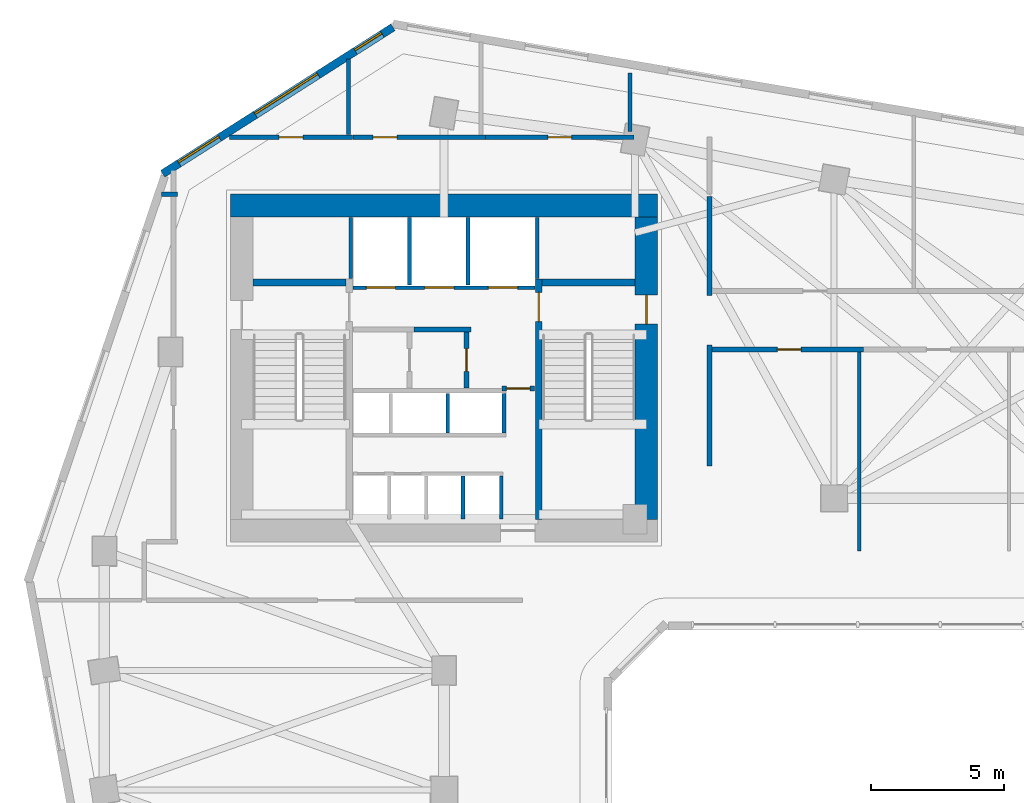
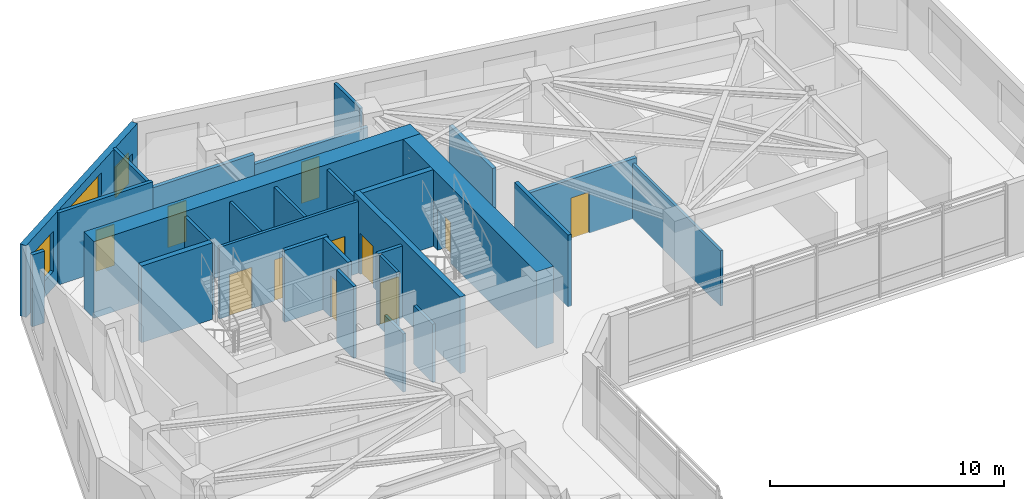
# One storey, part 6 of 9: 28 walls, 11 doors, 3 windows, 14 openings.
"""IFC4 building model written with IfcOpenShell, lengths in metres."""

from ifc_helpers import new_model, si_unit, direction, frame, frame_2d, origin, place, context, subcontext, project, spatial, rectangle, extrude, source, transform, mapped, material, layer, layer_set, type_object, element, fill, save


model = new_model("IFC4")

# Units and contexts
model_context = context("Model", 3, precision=1e-05, world=origin(), true_north=direction((0.0, 1.0)))
body_context = subcontext(model_context, "Body", "Model", "MODEL_VIEW")
ifc_project = project(units=[si_unit("LENGTHUNIT", "METRE"), si_unit("AREAUNIT", "SQUARE_METRE"), si_unit("VOLUMEUNIT", "CUBIC_METRE"), si_unit("PLANEANGLEUNIT", "RADIAN"), si_unit("MASSUNIT", "GRAM", prefix="KILO")], contexts=[model_context])

# Site, building, storey
site_placement = place(None, origin())
site = spatial("IfcSite", under=ifc_project, at=site_placement, CompositionType="ELEMENT")
building_placement = place(site_placement, origin())
building = spatial("IfcBuilding", under=site, at=building_placement, Name="Calvemar Wedge Station Tower", CompositionType="ELEMENT")
storey_placement = place(building_placement, frame((0.0, 0.0, 71.0)))
storey = spatial("IfcBuildingStorey", under=building, at=storey_placement, Name="L17", CompositionType="ELEMENT", Elevation=71.0)

# Wall, opening, door
ifc_material_1 = material(Name="Concrete C50", Category="concrete")
ifc_layer_1 = layer(ifc_material_1, 0.260009765625)
ifc_layer_set_1 = layer_set([ifc_layer_1], Name="Concrete C50")
wall_type_1 = type_object("IfcWallType", Name="SW-CORE-260", PredefinedType="SHEAR", material=ifc_layer_set_1)
wall_1_placement = place(storey_placement, frame((27.3701171875, 34.199951171875, 0.0), z_axis=(0.0, 0.0, 1.0), x_axis=(0.0, 1.0, 0.0)))
wall_1 = element("IfcWall", 1, at=wall_1_placement, inside=storey, type_object=wall_type_1, Name="Storey L17 Core Shear Wall SPINE-E", PredefinedType="SHEAR", context=body_context, shape_type="SweptSolid", body=[
    extrude(rectangle(XDim=9.06005859375, YDim=0.260009765625, at=frame_2d((4.530029296875, 0.0))), origin(), (0.0, 0.0, 1.0), 4.0),
])
shared_shape_1 = source(origin(), body_context, "Body", "SweptSolid", [
    extrude(rectangle(XDim=1.10009765625, YDim=2.14990234375, at=frame_2d((0.550048828125, 1.074951171875))), frame((0.0, 0.14013671875, 0.0), z_axis=(0.0, -1.0, 0.0), x_axis=(1.0, 0.0, 0.0)), (0.0, 0.0, 1.0), 0.280029296875),
])
opening_1_placement = place(wall_1_placement, frame((7.449951171875, 0.0, 0.0)))
opening_1 = element("IfcOpeningElement", 2, at=opening_1_placement, cuts=wall_1, Name="Opening FD-90", PredefinedType="OPENING", context=body_context, shape_type="MappedRepresentation", body=[
    mapped(shared_shape_1, transform((0.0, 0.0, 0.0), scale=1.0)),
])
ifc_material_2 = material(Name="Galvanized fire-rated steel door leaf P-90", Category="steel")
door_type_1 = type_object("IfcDoorType", Name="DR-FD90-1100", OperationType="NOTDEFINED", PredefinedType="DOOR", material=ifc_material_2)
shared_shape_2 = source(origin(), body_context, "Body", "SweptSolid", [
    extrude(rectangle(XDim=1.10009765625, YDim=2.14990234375, at=frame_2d((0.550048828125, 1.074951171875))), frame((0.0, 0.02490234375, 0.0), z_axis=(0.0, -1.0, 0.0), x_axis=(1.0, 0.0, 0.0)), (0.0, 0.0, 1.0), 0.050048828125),
])
door_1_placement = place(opening_1_placement, origin())
door_1 = element("IfcDoor", 3, at=door_1_placement, inside=storey, type_object=door_type_1, Name="L17 FF Lobby to Stair ST-C2 Door", OperationType="SINGLE_SWING_LEFT", OverallHeight=2.14990234375, OverallWidth=1.10009765625, PredefinedType="DOOR", context=body_context, shape_type="MappedRepresentation", body=[
    mapped(shared_shape_2, transform((0.0, 0.0, 0.0), scale=1.0)),
])
fill(opening_1, door_1)

# Walls
for number, where, z_axis, x_axis, name in (
    (4, (16.60009765625, 43.1298828125, 0.0), (0.0, 0.0, 1.0), (1.0, 0.0, 0.0), "Storey L17 Core Shear Wall STC1-N"),
    (5, (27.5, 43.1298828125, 0.0), (0.0, 0.0, 1.0), (1.0, 0.0, 0.0), "Storey L17 Core Shear Wall STC2-N"),
):
    element("IfcWall", number, at=place(storey_placement, frame(where, z_axis=z_axis, x_axis=x_axis)), inside=storey, type_object=wall_type_1, Name=name, PredefinedType="SHEAR", context=body_context, shape_type="SweptSolid", body=[
        extrude(rectangle(XDim=3.5, YDim=0.260009765625, at=frame_2d((1.75, 0.0))), origin(), (0.0, 0.0, 1.0), 4.0),
    ])
ifc_material_3 = material(Name="Concrete C80", Category="concrete")
ifc_layer_2 = layer(ifc_material_3, 0.85009765625)
ifc_layer_set_2 = layer_set([ifc_layer_2], Name="Concrete C80")
wall_type_2 = type_object("IfcWallType", Name="SW-CORE-850", PredefinedType="SHEAR", material=ifc_layer_set_2)
wall_2_placement = place(storey_placement, frame((15.75, 46.02490234375, 0.0), z_axis=(0.0, 0.0, 1.0), x_axis=(1.0, 0.0, 0.0)))
element("IfcWall", 6, at=wall_2_placement, inside=storey, type_object=wall_type_2, Name="Storey L17 Core Shear Wall N", PredefinedType="SHEAR", context=body_context, shape_type="SweptSolid", body=[
    extrude(rectangle(XDim=16.10009765625, YDim=0.85009765625, at=frame_2d((8.050048828125, 0.0))), origin(), (0.0, 0.0, 1.0), 4.0),
])

# Wall, opening, door
wall_3_placement = place(storey_placement, frame((31.425048828125, 34.199951171875, 0.0), z_axis=(0.0, 0.0, 1.0), x_axis=(0.0, 1.0, 0.0)))
wall_3 = element("IfcWall", 7, at=wall_3_placement, inside=storey, type_object=wall_type_2, Name="Storey L17 Core Shear Wall E", PredefinedType="SHEAR", context=body_context, shape_type="SweptSolid", body=[
    extrude(rectangle(XDim=11.400146484375, YDim=0.85009765625, at=frame_2d((5.7001953125, 0.0))), origin(), (0.0, 0.0, 1.0), 4.0),
])
shared_shape_3 = source(origin(), body_context, "Body", "SweptSolid", [
    extrude(rectangle(XDim=1.10009765625, YDim=2.14990234375, at=frame_2d((0.550048828125, 1.074951171875))), frame((0.0, 0.43505859375, 0.0), z_axis=(0.0, -1.0, 0.0), x_axis=(1.0, 0.0, 0.0)), (0.0, 0.0, 1.0), 0.8701171875),
])
opening_2_placement = place(wall_3_placement, frame((7.35009765625, 0.0, 0.0)))
opening_2 = element("IfcOpeningElement", 8, at=opening_2_placement, cuts=wall_3, Name="Opening FD-90", PredefinedType="OPENING", context=body_context, shape_type="MappedRepresentation", body=[
    mapped(shared_shape_3, transform((0.0, 0.0, 0.0), scale=1.0)),
])
door_2_placement = place(opening_2_placement, origin())
door_2 = element("IfcDoor", 9, at=door_2_placement, inside=storey, type_object=door_type_1, Name="L17 East Corridor to Exit Stair ST-C2 Door", OperationType="SINGLE_SWING_LEFT", OverallHeight=2.14990234375, OverallWidth=1.10009765625, PredefinedType="DOOR", context=body_context, shape_type="MappedRepresentation", body=[
    mapped(shared_shape_2, transform((0.0, 0.0, 0.0), scale=1.0)),
])
fill(opening_2, door_2)

# Wall
ifc_material_4 = material(Name="Double-stud fire-rated corridor partition")
ifc_layer_3 = layer(ifc_material_4, 0.179931640625)
ifc_layer_set_3 = layer_set([ifc_layer_3], Name="Double-stud fire-rated corridor partition")
wall_type_3 = type_object("IfcWallType", Name="W-CORR-180", PredefinedType="PARTITIONING", material=ifc_layer_set_3)
wall_4_placement = place(storey_placement, frame((24.81005859375, 41.35009765625, 0.0), z_axis=(0.0, 0.0, 1.0), x_axis=(-1.0, 0.0, 0.0)))
element("IfcWall", 10, at=wall_4_placement, inside=storey, type_object=wall_type_3, Name="Storey L17 Interior Partition WL-L17-002", PredefinedType="PARTITIONING", context=body_context, shape_type="SweptSolid", body=[
    extrude(rectangle(XDim=2.14794921875, YDim=0.179931640625, at=frame_2d((1.073974609375, 0.0))), origin(), (0.0, 0.0, 1.0), 3.75),
])

# Wall, opening, door
wall_5_placement = place(storey_placement, frame((24.64990234375, 41.256103515625, 0.0), z_axis=(0.0, 0.0, 1.0), x_axis=(0.0, -1.0, 0.0)))
wall_5 = element("IfcWall", 11, at=wall_5_placement, inside=storey, type_object=wall_type_3, Name="Storey L17 Interior Partition WL-L17-004", PredefinedType="PARTITIONING", context=body_context, shape_type="SweptSolid", body=[
    extrude(rectangle(XDim=2.106201171875, YDim=0.179931640625, at=frame_2d((1.05322265625, 0.0))), origin(), (0.0, 0.0, 1.0), 3.75),
])
shared_shape_4 = source(origin(), body_context, "Body", "SweptSolid", [
    extrude(rectangle(XDim=0.85009765625, YDim=2.14990234375, at=frame_2d((0.425048828125, 1.074951171875))), frame((0.0, 0.10009765625, 0.0), z_axis=(0.0, -1.0, 0.0), x_axis=(1.0, 0.0, 0.0)), (0.0, 0.0, 1.0), 0.199951171875),
])
opening_3_placement = place(wall_5_placement, frame((0.6279296875, 0.0, 0.0)))
opening_3 = element("IfcOpeningElement", 12, at=opening_3_placement, cuts=wall_5, Name="Opening FD-60S", PredefinedType="OPENING", context=body_context, shape_type="MappedRepresentation", body=[
    mapped(shared_shape_4, transform((0.0, 0.0, 0.0), scale=1.0)),
])
ifc_material_5 = material(Name="Fire-rated steel and hardwood service door EI 60", Category="steel")
door_type_2 = type_object("IfcDoorType", Name="DR-CORE-FD60-850", OperationType="NOTDEFINED", PredefinedType="DOOR", material=ifc_material_5)
shared_shape_5 = source(origin(), body_context, "Body", "SweptSolid", [
    extrude(rectangle(XDim=0.85009765625, YDim=2.14990234375, at=frame_2d((0.425048828125, 1.074951171875))), frame((0.0, 0.02490234375, 0.0), z_axis=(0.0, -1.0, 0.0), x_axis=(1.0, 0.0, 0.0)), (0.0, 0.0, 1.0), 0.050048828125),
])
door_3_placement = place(opening_3_placement, origin())
door_3 = element("IfcDoor", 13, at=door_3_placement, inside=storey, type_object=door_type_2, Name="L17 Core Equipment Store Door", OperationType="SINGLE_SWING_LEFT", OverallHeight=2.14990234375, OverallWidth=0.85009765625, PredefinedType="DOOR", context=body_context, shape_type="MappedRepresentation", body=[
    mapped(shared_shape_5, transform((0.0, 0.0, 0.0), scale=1.0)),
])
fill(opening_3, door_3)

wall_6_placement = place(storey_placement, frame((27.199951171875, 39.1298828125, 0.0), z_axis=(0.0, 0.0, 1.0), x_axis=(-1.0, 0.0, 0.0)))
wall_6 = element("IfcWall", 14, at=wall_6_placement, inside=storey, type_object=wall_type_3, Name="Storey L17 Interior Partition WL-L17-005", PredefinedType="PARTITIONING", context=body_context, shape_type="SweptSolid", body=[
    extrude(rectangle(XDim=1.2099609375, YDim=0.179931640625, at=frame_2d((0.60498046875, 0.0))), origin(), (0.0, 0.0, 1.0), 3.75),
])
shared_shape_6 = source(origin(), body_context, "Body", "SweptSolid", [
    extrude(rectangle(XDim=0.89990234375, YDim=2.14990234375, at=frame_2d((0.449951171875, 1.074951171875))), frame((0.0, 0.10009765625, 0.0), z_axis=(0.0, -1.0, 0.0), x_axis=(1.0, 0.0, 0.0)), (0.0, 0.0, 1.0), 0.199951171875),
])
opening_4_placement = place(wall_6_placement, frame((0.155029296875, 0.0, 0.0)))
opening_4 = element("IfcOpeningElement", 15, at=opening_4_placement, cuts=wall_6, Name="Opening FD-60", PredefinedType="OPENING", context=body_context, shape_type="MappedRepresentation", body=[
    mapped(shared_shape_6, transform((0.0, 0.0, 0.0), scale=1.0)),
])
ifc_material_6 = material(Name="Fire-rated acoustic timber-core entrance door EI 60", Category="wood")
door_type_3 = type_object("IfcDoorType", Name="DR-FD60-900", OperationType="NOTDEFINED", PredefinedType="DOOR", material=ifc_material_6)
shared_shape_7 = source(origin(), body_context, "Body", "SweptSolid", [
    extrude(rectangle(XDim=0.89990234375, YDim=2.14990234375, at=frame_2d((0.449951171875, 1.074951171875))), frame((0.0, 0.02490234375, 0.0), z_axis=(0.0, -1.0, 0.0), x_axis=(1.0, 0.0, 0.0)), (0.0, 0.0, 1.0), 0.050048828125),
])
door_4_placement = place(opening_4_placement, origin())
door_4 = element("IfcDoor", 16, at=door_4_placement, inside=storey, type_object=door_type_3, Name="L17 Core Service Lobby Door", OperationType="SINGLE_SWING_RIGHT", OverallHeight=2.14990234375, OverallWidth=0.89990234375, PredefinedType="DOOR", context=body_context, shape_type="MappedRepresentation", body=[
    mapped(shared_shape_7, transform((0.0, 0.0, 0.0), scale=1.0)),
])
fill(opening_4, door_4)

# Wall
wall_7_placement = place(storey_placement, frame((13.760009765625, 46.449951171875, 0.0), z_axis=(0.0, 0.0, 1.0), x_axis=(-1.0, 0.0, 0.0)))
element("IfcWall", 17, at=wall_7_placement, inside=storey, type_object=wall_type_3, Name="Storey L17 Interior Partition WL-L17-010", PredefinedType="PARTITIONING", context=body_context, shape_type="SweptSolid", body=[
    extrude(rectangle(XDim=0.60107421875, YDim=0.179931640625, at=frame_2d((0.300537109375, 0.0))), origin(), (0.0, 0.0, 1.0), 3.75),
])

# Wall, opening, door
wall_8_placement = place(storey_placement, frame((15.709716796875, 48.60009765625, 0.0), z_axis=(0.0, 0.0, 1.0), x_axis=(1.0, 0.0, 0.0)))
wall_8 = element("IfcWall", 18, at=wall_8_placement, inside=storey, type_object=wall_type_3, Name="Storey L17 Interior Partition WL-L17-011", PredefinedType="PARTITIONING", context=body_context, shape_type="SweptSolid", body=[
    extrude(rectangle(XDim=4.650390625, YDim=0.179931640625, at=frame_2d((2.3251953125, 0.0))), origin(), (0.0, 0.0, 1.0), 3.75),
])
opening_5_placement = place(wall_8_placement, frame((1.875, 0.0, 0.0)))
opening_5 = element("IfcOpeningElement", 19, at=opening_5_placement, cuts=wall_8, Name="Opening D-01", PredefinedType="OPENING", context=body_context, shape_type="MappedRepresentation", body=[
    mapped(shared_shape_6, transform((0.0, 0.0, 0.0), scale=1.0)),
])
ifc_material_7 = material(Name="Architectural hardwood acoustic swing door", Category="wood")
door_type_4 = type_object("IfcDoorType", Name="DR-INT-900", OperationType="NOTDEFINED", PredefinedType="DOOR", material=ifc_material_7)
shared_shape_8 = source(origin(), body_context, "Body", "SweptSolid", [
    extrude(rectangle(XDim=0.89990234375, YDim=2.14990234375, at=frame_2d((0.449951171875, 1.074951171875))), frame((0.0, 0.02490234375, 0.0), z_axis=(0.0, -1.0, 0.0), x_axis=(1.0, 0.0, 0.0)), (0.0, 0.0, 1.0), 0.050048828125),
])
door_5_placement = place(opening_5_placement, origin())
door_5 = element("IfcDoor", 20, at=door_5_placement, inside=storey, type_object=door_type_4, Name="L17 Male Toilet Door", OperationType="SINGLE_SWING_RIGHT", OverallHeight=2.14990234375, OverallWidth=0.89990234375, PredefinedType="DOOR", context=body_context, shape_type="MappedRepresentation", body=[
    mapped(shared_shape_8, transform((0.0, 0.0, 0.0), scale=1.0)),
])
fill(opening_5, door_5)

wall_9_placement = place(storey_placement, frame((20.362060546875, 48.60009765625, 0.0), z_axis=(0.0, 0.0, 1.0), x_axis=(1.0, 0.0, 0.0)))
wall_9 = element("IfcWall", 21, at=wall_9_placement, inside=storey, type_object=wall_type_3, Name="Storey L17 Interior Partition WL-L17-012", PredefinedType="PARTITIONING", context=body_context, shape_type="SweptSolid", body=[
    extrude(rectangle(XDim=4.998046875, YDim=0.179931640625, at=frame_2d((2.4990234375, 0.0))), origin(), (0.0, 0.0, 1.0), 3.43408203125),
])
opening_6_placement = place(wall_9_placement, frame((0.76806640625, 0.0, 0.0)))
opening_6 = element("IfcOpeningElement", 22, at=opening_6_placement, cuts=wall_9, Name="Opening D-01", PredefinedType="OPENING", context=body_context, shape_type="MappedRepresentation", body=[
    mapped(shared_shape_6, transform((0.0, 0.0, 0.0), scale=1.0)),
])
door_6_placement = place(opening_6_placement, origin())
door_6 = element("IfcDoor", 23, at=door_6_placement, inside=storey, type_object=door_type_4, Name="L17 Co-Working Studio Door", OperationType="SINGLE_SWING_LEFT", OverallHeight=2.14990234375, OverallWidth=0.89990234375, PredefinedType="DOOR", context=body_context, shape_type="MappedRepresentation", body=[
    mapped(shared_shape_8, transform((0.0, 0.0, 0.0), scale=1.0)),
])
fill(opening_6, door_6)

wall_10_placement = place(storey_placement, frame((25.362060546875, 48.60009765625, 0.0), z_axis=(0.0, 0.0, 1.0), x_axis=(1.0, 0.0, 0.0)))
wall_10 = element("IfcWall", 24, at=wall_10_placement, inside=storey, type_object=wall_type_3, Name="Storey L17 Interior Partition WL-L17-013", PredefinedType="PARTITIONING", context=body_context, shape_type="SweptSolid", body=[
    extrude(rectangle(XDim=5.597900390625, YDim=0.179931640625, at=frame_2d((2.798828125, 0.0))), origin(), (0.0, 0.0, 1.0), 2.89208984375),
])
opening_7_placement = place(wall_10_placement, frame((2.34912109375, 0.0, 0.0)))
opening_7 = element("IfcOpeningElement", 25, at=opening_7_placement, cuts=wall_10, Name="Opening D-01", PredefinedType="OPENING", context=body_context, shape_type="MappedRepresentation", body=[
    mapped(shared_shape_6, transform((0.0, 0.0, 0.0), scale=1.0)),
])
door_7_placement = place(opening_7_placement, origin())
door_7 = element("IfcDoor", 26, at=door_7_placement, inside=storey, type_object=door_type_4, Name="L17 Female Toilet Door", OperationType="SINGLE_SWING_RIGHT", OverallHeight=2.14990234375, OverallWidth=0.89990234375, PredefinedType="DOOR", context=body_context, shape_type="MappedRepresentation", body=[
    mapped(shared_shape_8, transform((0.0, 0.0, 0.0), scale=1.0)),
])
fill(opening_7, door_7)

# Walls
wall_11_placement = place(storey_placement, frame((33.800048828125, 40.760009765625, 0.0), z_axis=(0.0, 0.0, 1.0), x_axis=(0.0, -1.0, 0.0)))
element("IfcWall", 27, at=wall_11_placement, inside=storey, type_object=wall_type_3, Name="Storey L17 Interior Partition WL-L17-015", PredefinedType="PARTITIONING", context=body_context, shape_type="SweptSolid", body=[
    extrude(rectangle(XDim=4.56005859375, YDim=0.179931640625, at=frame_2d((2.280029296875, 0.0))), origin(), (0.0, 0.0, 1.0), 3.75),
])
wall_12_placement = place(storey_placement, frame((33.800048828125, 46.35595703125, 0.0), z_axis=(0.0, 0.0, 1.0), x_axis=(0.0, -1.0, 0.0)))
element("IfcWall", 28, at=wall_12_placement, inside=storey, type_object=wall_type_3, Name="Storey L17 Interior Partition WL-L17-016", PredefinedType="PARTITIONING", context=body_context, shape_type="SweptSolid", body=[
    extrude(rectangle(XDim=3.716064453125, YDim=0.179931640625, at=frame_2d((1.85791015625, 0.0))), origin(), (0.0, 0.0, 1.0), 3.322021484375),
])

# Wall, opening, door
wall_13_placement = place(storey_placement, frame((39.60498046875, 40.60009765625, 0.0), z_axis=(0.0, 0.0, 1.0), x_axis=(-1.0, 0.0, 0.0)))
wall_13 = element("IfcWall", 29, at=wall_13_placement, inside=storey, type_object=wall_type_3, Name="Storey L17 Interior Partition WL-L17-020", PredefinedType="PARTITIONING", context=body_context, shape_type="SweptSolid", body=[
    extrude(rectangle(XDim=5.7109375, YDim=0.179931640625, at=frame_2d((2.85546875, 0.0))), origin(), (0.0, 0.0, 1.0), 3.125),
])
opening_8_placement = place(wall_13_placement, frame((2.3447265625, 0.0, 0.0)))
opening_8 = element("IfcOpeningElement", 30, at=opening_8_placement, cuts=wall_13, Name="Opening D-01", PredefinedType="OPENING", context=body_context, shape_type="MappedRepresentation", body=[
    mapped(shared_shape_6, transform((0.0, 0.0, 0.0), scale=1.0)),
])
door_8_placement = place(opening_8_placement, origin())
door_8 = element("IfcDoor", 31, at=door_8_placement, inside=storey, type_object=door_type_4, Name="L17 Co-Working Studio Door", OperationType="SINGLE_SWING_LEFT", OverallHeight=2.14990234375, OverallWidth=0.89990234375, PredefinedType="DOOR", context=body_context, shape_type="MappedRepresentation", body=[
    mapped(shared_shape_8, transform((0.0, 0.0, 0.0), scale=1.0)),
])
fill(opening_8, door_8)

# Wall, openings, windows
ifc_material_8 = material(Name="Precast concrete C45", Category="concrete")
ifc_layer_4 = layer(ifc_material_8, 0.300048828125)
ifc_layer_set_4 = layer_set([ifc_layer_4], Name="Precast concrete C45")
wall_type_4 = type_object("IfcWallType", Name="W-EXT-GFRC-300", PredefinedType="SOLIDWALL", material=ifc_layer_set_4)
wall_14_placement = place(storey_placement, frame((21.874755859375, 52.742431640625, 0.0), z_axis=(0.0, 0.0, 1.0), x_axis=(-0.843662465249, -0.536873956092, 0.0)))
wall_14 = element("IfcWall", 32, at=wall_14_placement, inside=storey, type_object=wall_type_4, Name="Storey L17 Bronze GFRC Exterior Wall 11", PredefinedType="SOLIDWALL", context=body_context, shape_type="SweptSolid", body=[
    extrude(rectangle(XDim=10.283935546875, YDim=0.300048828125, at=frame_2d((5.14208984375, 0.0))), origin(), (0.0, 0.0, 1.0), 3.75),
])
shared_shape_9 = source(origin(), body_context, "Body", "SweptSolid", [
    extrude(rectangle(XDim=1.199951171875, YDim=1.60009765625, at=frame_2d((0.60009765625, 0.800048828125))), frame((0.0, 0.16015625, 0.0), z_axis=(0.0, -1.0, 0.0), x_axis=(1.0, 0.0, 0.0)), (0.0, 0.0, 1.0), 0.320068359375),
])
opening_9_placement = place(wall_14_placement, frame((0.47900390625, 0.0, 0.85009765625)))
opening_9 = element("IfcOpeningElement", 33, at=opening_9_placement, cuts=wall_14, Name="Opening W5", PredefinedType="OPENING", context=body_context, shape_type="MappedRepresentation", body=[
    mapped(shared_shape_9, transform((0.0, 0.0, 0.0), scale=1.0)),
])
shared_shape_10 = source(origin(), body_context, "Body", "SweptSolid", [
    extrude(rectangle(XDim=2.800048828125, YDim=2.39990234375, at=frame_2d((1.39990234375, 1.199951171875))), frame((0.0, 0.16015625, 0.0), z_axis=(0.0, -1.0, 0.0), x_axis=(1.0, 0.0, 0.0)), (0.0, 0.0, 1.0), 0.320068359375),
])
opening_10_placement = place(wall_14_placement, frame((3.342041015625, 0.0, 0.85009765625)))
opening_10 = element("IfcOpeningElement", 34, at=opening_10_placement, cuts=wall_14, Name="Opening W6", PredefinedType="OPENING", context=body_context, shape_type="MappedRepresentation", body=[
    mapped(shared_shape_10, transform((0.0, 0.0, 0.0), scale=1.0)),
])
shared_shape_11 = source(origin(), body_context, "Body", "SweptSolid", [
    extrude(rectangle(XDim=1.800048828125, YDim=2.10009765625, at=frame_2d((0.89990234375, 1.050048828125))), frame((0.0, 0.16015625, 0.0), z_axis=(0.0, -1.0, 0.0), x_axis=(1.0, 0.0, 0.0)), (0.0, 0.0, 1.0), 0.320068359375),
])
opening_11_placement = place(wall_14_placement, frame((7.7529296875, 0.0, 0.85009765625)))
opening_11 = element("IfcOpeningElement", 35, at=opening_11_placement, cuts=wall_14, Name="Opening W2", PredefinedType="OPENING", context=body_context, shape_type="MappedRepresentation", body=[
    mapped(shared_shape_11, transform((0.0, 0.0, 0.0), scale=1.0)),
])
ifc_material_9 = material(Name="Low-E laminated insulated glass", Category="glass")
window_type_1 = type_object("IfcWindowType", Name="WIN-EXT-2", PartitioningType="SINGLE_PANEL", PredefinedType="WINDOW", material=ifc_material_9)
shared_shape_12 = source(origin(), body_context, "Body", "SweptSolid", [
    extrude(rectangle(XDim=1.800048828125, YDim=2.10009765625, at=frame_2d((0.89990234375, 1.050048828125))), frame((0.0, -0.014892578125, 0.0), z_axis=(0.0, -1.0, 0.0), x_axis=(1.0, 0.0, 0.0)), (0.0, 0.0, 1.0), 0.06005859375),
])
window_1_placement = place(opening_11_placement, origin())
window_1 = element("IfcWindow", 36, at=window_1_placement, inside=storey, type_object=window_type_1, Name="Storey L17 Recessed Window 11.3", OverallHeight=2.10009765625, OverallWidth=1.800048828125, PartitioningType="SINGLE_PANEL", PredefinedType="WINDOW", context=body_context, shape_type="MappedRepresentation", body=[
    mapped(shared_shape_12, transform((0.0, 0.0, 0.0), scale=1.0)),
])
fill(opening_11, window_1)
window_type_2 = type_object("IfcWindowType", Name="WIN-EXT-6", PartitioningType="SINGLE_PANEL", PredefinedType="WINDOW", material=ifc_material_9)
shared_shape_13 = source(origin(), body_context, "Body", "SweptSolid", [
    extrude(rectangle(XDim=2.800048828125, YDim=2.39990234375, at=frame_2d((1.39990234375, 1.199951171875))), frame((0.0, -0.014892578125, 0.0), z_axis=(0.0, -1.0, 0.0), x_axis=(1.0, 0.0, 0.0)), (0.0, 0.0, 1.0), 0.06005859375),
])
window_2_placement = place(opening_10_placement, origin())
window_2 = element("IfcWindow", 37, at=window_2_placement, inside=storey, type_object=window_type_2, Name="Storey L17 Recessed Window 11.2", OverallHeight=2.39990234375, OverallWidth=2.800048828125, PartitioningType="SINGLE_PANEL", PredefinedType="WINDOW", context=body_context, shape_type="MappedRepresentation", body=[
    mapped(shared_shape_13, transform((0.0, 0.0, 0.0), scale=1.0)),
])
fill(opening_10, window_2)
window_type_3 = type_object("IfcWindowType", Name="WIN-EXT-5", PartitioningType="SINGLE_PANEL", PredefinedType="WINDOW", material=ifc_material_9)
shared_shape_14 = source(origin(), body_context, "Body", "SweptSolid", [
    extrude(rectangle(XDim=1.199951171875, YDim=1.60009765625, at=frame_2d((0.60009765625, 0.800048828125))), frame((0.0, -0.014892578125, 0.0), z_axis=(0.0, -1.0, 0.0), x_axis=(1.0, 0.0, 0.0)), (0.0, 0.0, 1.0), 0.06005859375),
])
window_3_placement = place(opening_9_placement, origin())
window_3 = element("IfcWindow", 38, at=window_3_placement, inside=storey, type_object=window_type_3, Name="Storey L17 Recessed Window 11.1", OverallHeight=1.60009765625, OverallWidth=1.199951171875, PartitioningType="SINGLE_PANEL", PredefinedType="WINDOW", context=body_context, shape_type="MappedRepresentation", body=[
    mapped(shared_shape_14, transform((0.0, 0.0, 0.0), scale=1.0)),
])
fill(opening_9, window_3)

# Wall, openings, doors
ifc_material_10 = material(Name="Reinforced concrete blockwork lift shaft wall", Category="masonry")
ifc_layer_5 = layer(ifc_material_10, 0.139892578125)
ifc_layer_set_5 = layer_set([ifc_layer_5], Name="Reinforced concrete blockwork lift shaft wall")
wall_type_5 = type_object("IfcWallType", Name="W-LIFT-160", PredefinedType="SOLIDWALL", material=ifc_layer_set_5)
wall_15_placement = place(storey_placement, frame((20.3701171875, 42.929931640625, 0.0), z_axis=(0.0, 0.0, 1.0), x_axis=(1.0, 0.0, 0.0)))
wall_15 = element("IfcWall", 39, at=wall_15_placement, inside=storey, type_object=wall_type_5, Name="Storey L17 Firefighting and Service Lift Shaft Front Wall", PredefinedType="SOLIDWALL", context=body_context, shape_type="SweptSolid", body=[
    extrude(rectangle(XDim=6.85986328125, YDim=0.139892578125, at=frame_2d((3.429931640625, 0.0))), origin(), (0.0, 0.0, 1.0), 3.75),
])
shared_shape_15 = source(origin(), body_context, "Body", "SweptSolid", [
    extrude(rectangle(XDim=1.10009765625, YDim=2.14990234375, at=frame_2d((0.550048828125, 1.074951171875))), frame((0.0, 0.080078125, 0.0), z_axis=(0.0, -1.0, 0.0), x_axis=(1.0, 0.0, 0.0)), (0.0, 0.0, 1.0), 0.159912109375),
])
opening_12_placement = place(wall_15_placement, frame((0.5, 0.0, 0.0)))
opening_12 = element("IfcOpeningElement", 40, at=opening_12_placement, cuts=wall_15, Name="Opening LD-FF", PredefinedType="OPENING", context=body_context, shape_type="MappedRepresentation", body=[
    mapped(shared_shape_15, transform((0.0, 0.0, 0.0), scale=1.0)),
])
opening_13_placement = place(wall_15_placement, frame((2.699951171875, 0.0, 0.0)))
opening_13 = element("IfcOpeningElement", 41, at=opening_13_placement, cuts=wall_15, Name="Opening LD-FF", PredefinedType="OPENING", context=body_context, shape_type="MappedRepresentation", body=[
    mapped(shared_shape_15, transform((0.0, 0.0, 0.0), scale=1.0)),
])
opening_14_placement = place(wall_15_placement, frame((5.10009765625, 0.0, 0.0)))
opening_14 = element("IfcOpeningElement", 42, at=opening_14_placement, cuts=wall_15, Name="Opening LD-STN", PredefinedType="OPENING", context=body_context, shape_type="MappedRepresentation", body=[
    mapped(shared_shape_15, transform((0.0, 0.0, 0.0), scale=1.0)),
])
ifc_material_11 = material(Name="Stainless steel firefighting lift sliding landing door", Category="steel")
door_type_5 = type_object("IfcDoorType", Name="DR-LD-FF-1100", OperationType="SLIDING_TO_LEFT", PredefinedType="DOOR", material=ifc_material_11)
shared_shape_16 = source(origin(), body_context, "Body", "SweptSolid", [
    extrude(rectangle(XDim=1.10009765625, YDim=2.14990234375, at=frame_2d((0.550048828125, 1.074951171875))), frame((0.0, 0.02490234375, 0.0), z_axis=(0.0, -1.0, 0.0), x_axis=(1.0, 0.0, 0.0)), (0.0, 0.0, 1.0), 0.050048828125),
])
door_9_placement = place(opening_12_placement, origin())
door_9 = element("IfcDoor", 43, at=door_9_placement, inside=storey, type_object=door_type_5, Name="L17 Lift FF-01 Sliding Landing Door", OperationType="SLIDING_TO_LEFT", OverallHeight=2.14990234375, OverallWidth=1.10009765625, PredefinedType="DOOR", context=body_context, shape_type="MappedRepresentation", body=[
    mapped(shared_shape_16, transform((0.0, 0.0, 0.0), scale=1.0)),
])
fill(opening_12, door_9)
door_10_placement = place(opening_13_placement, origin())
door_10 = element("IfcDoor", 44, at=door_10_placement, inside=storey, type_object=door_type_5, Name="L17 Lift FF-02 Sliding Landing Door", OperationType="SLIDING_TO_RIGHT", OverallHeight=2.14990234375, OverallWidth=1.10009765625, PredefinedType="DOOR", context=body_context, shape_type="MappedRepresentation", body=[
    mapped(shared_shape_16, transform((0.0, 0.0, 0.0), scale=1.0)),
])
fill(opening_13, door_10)
ifc_material_12 = material(Name="Stainless steel transit lift sliding landing door", Category="steel")
door_type_6 = type_object("IfcDoorType", Name="DR-LD-PAX-1100", OperationType="SLIDING_TO_LEFT", PredefinedType="DOOR", material=ifc_material_12)
shared_shape_17 = source(origin(), body_context, "Body", "SweptSolid", [
    extrude(rectangle(XDim=1.10009765625, YDim=2.14990234375, at=frame_2d((0.550048828125, 1.074951171875))), frame((0.0, 0.02490234375, 0.0), z_axis=(0.0, -1.0, 0.0), x_axis=(1.0, 0.0, 0.0)), (0.0, 0.0, 1.0), 0.050048828125),
])
door_11_placement = place(opening_14_placement, origin())
door_11 = element("IfcDoor", 45, at=door_11_placement, inside=storey, type_object=door_type_6, Name="L17 Lift SV-01 Sliding Landing Door", OperationType="SLIDING_TO_LEFT", OverallHeight=2.14990234375, OverallWidth=1.10009765625, PredefinedType="DOOR", context=body_context, shape_type="MappedRepresentation", body=[
    mapped(shared_shape_17, transform((0.0, 0.0, 0.0), scale=1.0)),
])
fill(opening_14, door_11)

# Walls
for number, where, z_axis, x_axis, name in (
    (46, (20.2900390625, 43.280029296875, 0.0), (0.0, 0.0, 1.0), (0.0, 1.0, 0.0), "Storey L17 Firefighting Lift Shaft Enclosure Wall W"),
    (47, (27.31005859375, 43.280029296875, 0.0), (0.0, 0.0, 1.0), (0.0, 1.0, 0.0), "Storey L17 Firefighting Lift Shaft Enclosure Wall E"),
):
    element("IfcWall", number, at=place(storey_placement, frame(where, z_axis=z_axis, x_axis=x_axis)), inside=storey, type_object=wall_type_5, Name=name, PredefinedType="SOLIDWALL", context=body_context, shape_type="SweptSolid", body=[
        extrude(rectangle(XDim=2.300048828125, YDim=0.139892578125, at=frame_2d((1.14990234375, 0.0))), origin(), (0.0, 0.0, 1.0), 3.75),
    ])
for number, where, z_axis, x_axis, name in (
    (48, (22.5, 43.02001953125, 0.0), (0.0, 0.0, 1.0), (0.0, 1.0, 0.0), "Storey L17 Firefighting Lift Shaft Enclosure Wall D1"),
    (49, (24.699951171875, 43.02001953125, 0.0), (0.0, 0.0, 1.0), (0.0, 1.0, 0.0), "Storey L17 Firefighting Lift Shaft Enclosure Wall D2"),
):
    element("IfcWall", number, at=place(storey_placement, frame(where, z_axis=z_axis, x_axis=x_axis)), inside=storey, type_object=wall_type_5, Name=name, PredefinedType="SOLIDWALL", context=body_context, shape_type="SweptSolid", body=[
        extrude(rectangle(XDim=2.56005859375, YDim=0.139892578125, at=frame_2d((1.280029296875, 0.0))), origin(), (0.0, 0.0, 1.0), 3.75),
    ])
for number, where, z_axis, x_axis, name in (
    (50, (25.9599609375, 34.219970703125, 0.0), (0.0, 0.0, 1.0), (0.0, 1.0, 0.0), "Storey L17 South Passenger Lift Shaft Wall E"),
    (51, (24.514892578125, 34.219970703125, 0.0), (0.0, 0.0, 1.0), (0.0, 1.0, 0.0), "Storey L17 South Passenger Lift Shaft Wall D3"),
):
    element("IfcWall", number, at=place(storey_placement, frame(where, z_axis=z_axis, x_axis=x_axis)), inside=storey, type_object=wall_type_5, Name=name, PredefinedType="SOLIDWALL", context=body_context, shape_type="SweptSolid", body=[
        extrude(rectangle(XDim=1.6201171875, YDim=0.139892578125, at=frame_2d((0.81005859375, 0.0))), origin(), (0.0, 0.0, 1.0), 3.0419921875),
    ])
for number, where, z_axis, x_axis, name in (
    (52, (26.06005859375, 37.4599609375, 0.0), (0.0, 0.0, 1.0), (0.0, 1.0, 0.0), "Storey L17 Upper Passenger Lift Shaft Wall E"),
    (53, (23.93505859375, 37.4599609375, 0.0), (0.0, 0.0, 1.0), (0.0, 1.0, 0.0), "Storey L17 Upper Passenger Lift Shaft Wall D2"),
):
    element("IfcWall", number, at=place(storey_placement, frame(where, z_axis=z_axis, x_axis=x_axis)), inside=storey, type_object=wall_type_5, Name=name, PredefinedType="SOLIDWALL", context=body_context, shape_type="SweptSolid", body=[
        extrude(rectangle(XDim=1.47998046875, YDim=0.139892578125, at=frame_2d((0.739990234375, 0.0))), origin(), (0.0, 0.0, 1.0), 3.75),
    ])
ifc_material_13 = material(Name="Insulated acoustic gypsum stud partition")
ifc_layer_6 = layer(ifc_material_13, 0.125)
ifc_layer_set_6 = layer_set([ifc_layer_6], Name="Insulated acoustic gypsum stud partition")
wall_type_6 = type_object("IfcWallType", Name="W-PART-125", PredefinedType="PARTITIONING", material=ifc_layer_set_6)
wall_16_placement = place(storey_placement, frame((39.445068359375, 40.506103515625, 0.0), z_axis=(0.0, 0.0, 1.0), x_axis=(0.0, -1.0, 0.0)))
element("IfcWall", 54, at=wall_16_placement, inside=storey, type_object=wall_type_6, Name="Storey L17 Interior Partition WL-L17-026", PredefinedType="PARTITIONING", context=body_context, shape_type="SweptSolid", body=[
    extrude(rectangle(XDim=7.506103515625, YDim=0.125, at=frame_2d((3.7529296875, 0.0))), origin(), (0.0, 0.0, 1.0), 2.89208984375),
])
ifc_material_14 = material(Name="Moisture-resistant acoustic bathroom partition")
ifc_layer_7 = layer(ifc_material_14, 0.14990234375)
ifc_layer_set_7 = layer_set([ifc_layer_7], Name="Moisture-resistant acoustic bathroom partition")
wall_type_7 = type_object("IfcWallType", Name="W-WET-150", PredefinedType="PARTITIONING", material=ifc_layer_set_7)
wall_17_placement = place(storey_placement, frame((20.199951171875, 51.540283203125, 0.0), z_axis=(0.0, 0.0, 1.0), x_axis=(0.0, -1.0, 0.0)))
element("IfcWall", 55, at=wall_17_placement, inside=storey, type_object=wall_type_7, Name="Storey L17 Interior Partition WL-L17-018", PredefinedType="PARTITIONING", context=body_context, shape_type="SweptSolid", body=[
    extrude(rectangle(XDim=2.84619140625, YDim=0.14990234375, at=frame_2d((1.423095703125, 0.0))), origin(), (0.0, 0.0, 1.0), 3.75),
])
wall_18_placement = place(storey_placement, frame((30.800048828125, 51.0126953125, 0.0), z_axis=(0.0, 0.0, 1.0), x_axis=(0.0, -1.0, 0.0)))
element("IfcWall", 56, at=wall_18_placement, inside=storey, type_object=wall_type_7, Name="Storey L17 Bathroom Enclosure Wall WL-L17-034", PredefinedType="PARTITIONING", context=body_context, shape_type="SweptSolid", body=[
    extrude(rectangle(XDim=2.192626953125, YDim=0.14990234375, at=frame_2d((1.09619140625, 0.0))), origin(), (0.0, 0.0, 1.0), 3.75),
])

save(model, "model.ifc")
